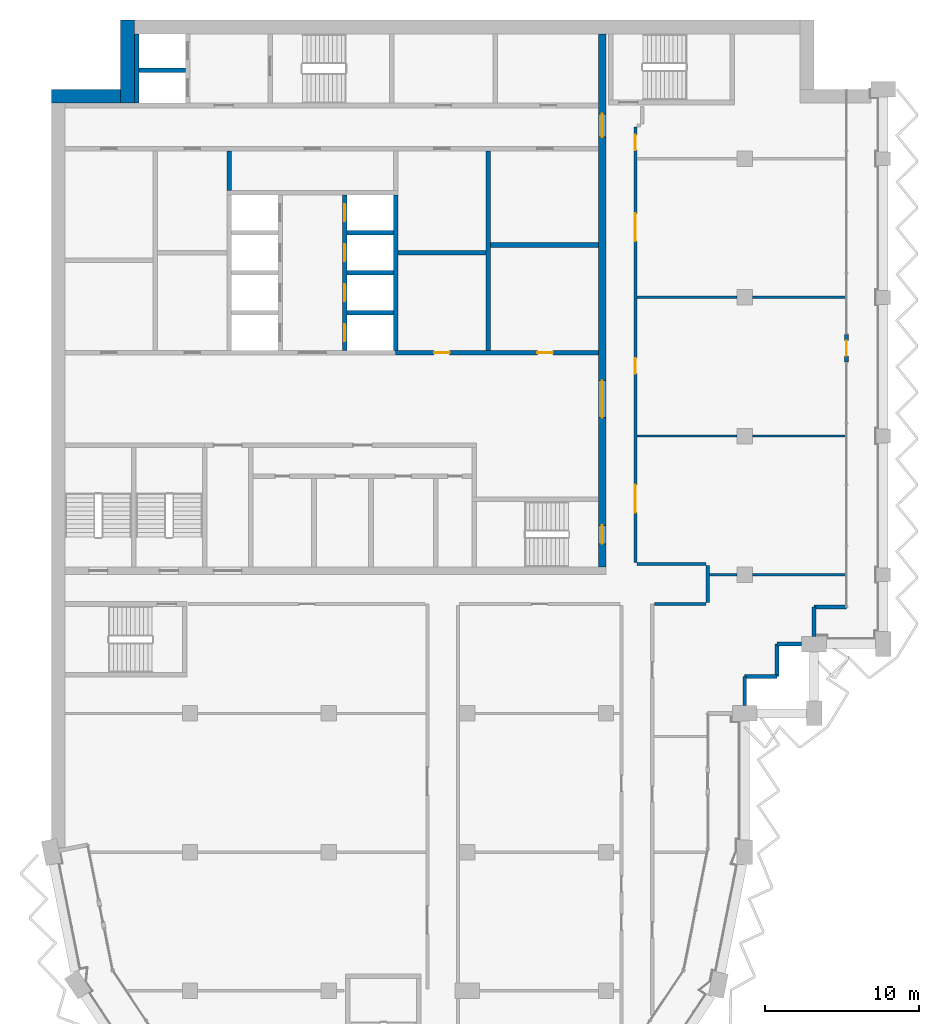
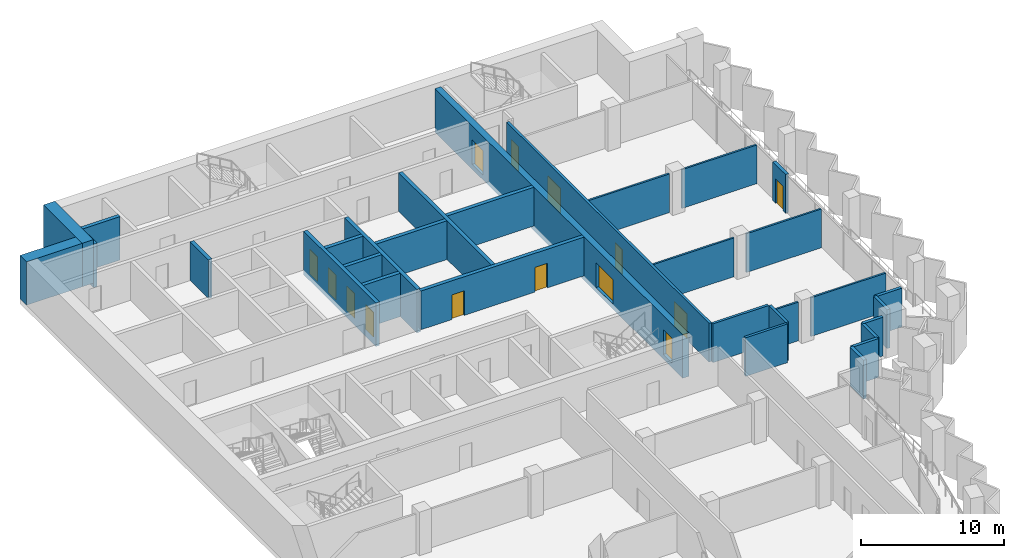
# One storey, part 9 of 16: 32 walls, 14 doors, 14 openings.
"""IFC4 building model written with IfcOpenShell, lengths in metres."""

from ifc_helpers import new_model, si_unit, direction, frame, frame_2d, origin, place, context, subcontext, project, spatial, rectangle, extrude, material, layer, layer_set, type_object, element, fill, save


model = new_model("IFC4")

# Units and contexts
model_context = context("Model", 3, precision=1e-05, world=origin(), true_north=direction((0.0, 1.0)))
body_context = subcontext(model_context, "Body", "Model", "MODEL_VIEW")
ifc_project = project(units=[si_unit("LENGTHUNIT", "METRE"), si_unit("AREAUNIT", "SQUARE_METRE"), si_unit("VOLUMEUNIT", "CUBIC_METRE"), si_unit("PLANEANGLEUNIT", "RADIAN"), si_unit("MASSUNIT", "GRAM", prefix="KILO")], contexts=[model_context])

# Site, building, storey
site_placement = place(None, origin())
site = spatial("IfcSite", under=ifc_project, at=site_placement, CompositionType="ELEMENT")
building_placement = place(site_placement, origin())
building = spatial("IfcBuilding", under=site, at=building_placement, Name="Hunhe Ridgeline Campus", CompositionType="ELEMENT")
storey_placement = place(building_placement, frame((0.0, 0.0, 235.5)))
storey = spatial("IfcBuildingStorey", under=building, at=storey_placement, Name="L60", CompositionType="ELEMENT", Elevation=235.5)

# Wall, openings, doors
ifc_material_1 = material(Name="Masonry concrete blockwork", Category="masonry")
ifc_layer_1 = layer(ifc_material_1, 0.300048828125)
ifc_layer_set_1 = layer_set([ifc_layer_1], Name="Core room partition 300 concrete block")
wall_type_1 = type_object("IfcWallType", Name="Core room partition 300 concrete block", PredefinedType="PARTITIONING", material=ifc_layer_set_1)
wall_1_placement = place(storey_placement, frame((22.35009765625, 77.39990234375, 0.0), z_axis=(0.0, 0.0, 1.0), x_axis=(1.0, 0.0, 0.0)))
wall_1 = element("IfcWall", 1, at=wall_1_placement, inside=storey, type_object=wall_type_1, Name="L60 core partition 11", PredefinedType="PARTITIONING", context=body_context, shape_type="SweptSolid", body=[
    extrude(rectangle(XDim=13.14990234375, YDim=0.300048828125, at=frame_2d((6.574951171875, 0.0))), origin(), (0.0, 0.0, 1.0), 3.300048828125),
])
opening_1_placement = place(wall_1_placement, frame((2.5, 0.0, 0.0)))
opening_1 = element("IfcOpeningElement", 2, at=opening_1_placement, cuts=wall_1, Name="Opening CD32", PredefinedType="OPENING", context=body_context, shape_type="SweptSolid", body=[
    extrude(rectangle(XDim=1.0, YDim=2.10009765625, at=frame_2d((0.5, 1.050048828125))), frame((0.0, 0.14990234375, 0.0), z_axis=(0.0, -1.0, 0.0), x_axis=(1.0, 0.0, 0.0)), (0.0, 0.0, 1.0), 0.300048828125),
])
opening_2_placement = place(wall_1_placement, frame((9.199951171875, 0.0, 0.0)))
opening_2 = element("IfcOpeningElement", 3, at=opening_2_placement, cuts=wall_1, Name="Opening CD42", PredefinedType="OPENING", context=body_context, shape_type="SweptSolid", body=[
    extrude(rectangle(XDim=1.0, YDim=2.10009765625, at=frame_2d((0.5, 1.050048828125))), frame((0.0, 0.14990234375, 0.0), z_axis=(0.0, -1.0, 0.0), x_axis=(1.0, 0.0, 0.0)), (0.0, 0.0, 1.0), 0.300048828125),
])
ifc_material_2 = material(Name="Solid core timber door leaf", Category="wood")
door_type_1 = type_object("IfcDoorType", Name="Timber door 1000x2100", OperationType="SINGLE_SWING_LEFT", PredefinedType="DOOR", material=ifc_material_2)
door_1_placement = place(opening_1_placement, origin())
door_1 = element("IfcDoor", 4, at=door_1_placement, inside=storey, type_object=door_type_1, Name="L60 door ES0", OperationType="SINGLE_SWING_LEFT", OverallHeight=2.10009765625, OverallWidth=1.0, PredefinedType="DOOR", context=body_context, shape_type="SweptSolid", body=[
    extrude(rectangle(XDim=1.0, YDim=2.10009765625, at=frame_2d((0.5, 1.050048828125))), frame((0.0, 0.02490234375, 0.0), z_axis=(0.0, -1.0, 0.0), x_axis=(1.0, 0.0, 0.0)), (0.0, 0.0, 1.0), 0.050048828125),
])
fill(opening_1, door_1)
door_2_placement = place(opening_2_placement, origin())
door_2 = element("IfcDoor", 5, at=door_2_placement, inside=storey, type_object=door_type_1, Name="L60 door ES2", OperationType="SINGLE_SWING_LEFT", OverallHeight=2.10009765625, OverallWidth=1.0, PredefinedType="DOOR", context=body_context, shape_type="SweptSolid", body=[
    extrude(rectangle(XDim=1.0, YDim=2.10009765625, at=frame_2d((0.5, 1.050048828125))), frame((0.0, 0.02490234375, 0.0), z_axis=(0.0, -1.0, 0.0), x_axis=(1.0, 0.0, 0.0)), (0.0, 0.0, 1.0), 0.050048828125),
])
fill(opening_2, door_2)

# Walls
wall_2_placement = place(storey_placement, frame((22.5, 83.89990234375, 0.0), z_axis=(0.0, 0.0, 1.0), x_axis=(1.0, 0.0, 0.0)))
element("IfcWall", 6, at=wall_2_placement, inside=storey, type_object=wall_type_1, Name="L60 core partition 18", PredefinedType="PARTITIONING", context=body_context, shape_type="SweptSolid", body=[
    extrude(rectangle(XDim=5.699951171875, YDim=0.300048828125, at=frame_2d((2.85009765625, 0.0))), origin(), (0.0, 0.0, 1.0), 3.300048828125),
])
wall_3_placement = place(storey_placement, frame((28.5, 84.39990234375, 0.0), z_axis=(0.0, 0.0, 1.0), x_axis=(1.0, 0.0, 0.0)))
element("IfcWall", 7, at=wall_3_placement, inside=storey, type_object=wall_type_1, Name="L60 core partition 19", PredefinedType="PARTITIONING", context=body_context, shape_type="SweptSolid", body=[
    extrude(rectangle(XDim=7.0, YDim=0.300048828125, at=frame_2d((3.5, 0.0))), origin(), (0.0, 0.0, 1.0), 3.300048828125),
])
wall_4_placement = place(storey_placement, frame((11.550048828125, 87.949951171875, 0.0), z_axis=(0.0, 0.0, 1.0), x_axis=(0.0, 1.0, 0.0)))
element("IfcWall", 8, at=wall_4_placement, inside=storey, type_object=wall_type_1, Name="L60 core partition 34", PredefinedType="PARTITIONING", context=body_context, shape_type="SweptSolid", body=[
    extrude(rectangle(XDim=2.550048828125, YDim=0.300048828125, at=frame_2d((1.27490234375, 0.0))), origin(), (0.0, 0.0, 1.0), 3.300048828125),
])
wall_5_placement = place(storey_placement, frame((28.35009765625, 77.550048828125, 0.0), z_axis=(0.0, 0.0, 1.0), x_axis=(0.0, 1.0, 0.0)))
element("IfcWall", 9, at=wall_5_placement, inside=storey, type_object=wall_type_1, Name="L60 core partition 49", PredefinedType="PARTITIONING", context=body_context, shape_type="SweptSolid", body=[
    extrude(rectangle(XDim=12.949951171875, YDim=0.300048828125, at=frame_2d((6.47509765625, 0.0))), origin(), (0.0, 0.0, 1.0), 3.300048828125),
])

# Wall, openings, doors
ifc_material_3 = material(Name="Concrete C50", Category="concrete")
ifc_layer_2 = layer(ifc_material_3, 0.5)
ifc_layer_set_2 = layer_set([ifc_layer_2], Name="Core wall 500 reinforced concrete C50")
wall_type_2 = type_object("IfcWallType", Name="Core wall 500 reinforced concrete C50", PredefinedType="SOLIDWALL", material=ifc_layer_set_2)
wall_6_placement = place(storey_placement, frame((35.75, 63.5, -0.39990234375), z_axis=(0.0, 0.0, 1.0), x_axis=(0.0, 1.0, 0.0)))
wall_6 = element("IfcWall", 10, at=wall_6_placement, inside=storey, type_object=wall_type_2, Name="L60 core wall 51", PredefinedType="SOLIDWALL", context=body_context, shape_type="SweptSolid", body=[
    extrude(rectangle(XDim=34.60009765625, YDim=0.5, at=frame_2d((17.300048828125, 0.0))), origin(), (0.0, 0.0, 1.0), 3.699951171875),
])
opening_3_placement = place(wall_6_placement, frame((9.699951171875, 0.0, 0.39990234375)))
opening_3 = element("IfcOpeningElement", 11, at=opening_3_placement, cuts=wall_6, Name="Opening CD4", PredefinedType="OPENING", context=body_context, shape_type="SweptSolid", body=[
    extrude(rectangle(XDim=2.39990234375, YDim=2.10009765625, at=frame_2d((1.199951171875, 1.050048828125))), frame((0.0, 0.25, 0.0), z_axis=(0.0, -1.0, 0.0), x_axis=(1.0, 0.0, 0.0)), (0.0, 0.0, 1.0), 0.5),
])
opening_4_placement = place(wall_6_placement, frame((27.89990234375, 0.0, 0.39990234375)))
opening_4 = element("IfcOpeningElement", 12, at=opening_4_placement, cuts=wall_6, Name="Opening CD5", PredefinedType="OPENING", context=body_context, shape_type="SweptSolid", body=[
    extrude(rectangle(XDim=1.5, YDim=2.10009765625, at=frame_2d((0.75, 1.050048828125))), frame((0.0, 0.25, 0.0), z_axis=(0.0, -1.0, 0.0), x_axis=(1.0, 0.0, 0.0)), (0.0, 0.0, 1.0), 0.5),
])
opening_5_placement = place(wall_6_placement, frame((1.5, 0.0, 0.39990234375)))
opening_5 = element("IfcOpeningElement", 13, at=opening_5_placement, cuts=wall_6, Name="Opening CD15", PredefinedType="OPENING", context=body_context, shape_type="SweptSolid", body=[
    extrude(rectangle(XDim=1.199951171875, YDim=2.10009765625, at=frame_2d((0.60009765625, 1.050048828125))), frame((0.0, 0.25, 0.0), z_axis=(0.0, -1.0, 0.0), x_axis=(1.0, 0.0, 0.0)), (0.0, 0.0, 1.0), 0.5),
])
ifc_material_4 = material(Name="Anodised aluminium and glass", Category="aluminium")
door_type_2 = type_object("IfcDoorType", Name="Glazed double door 2400x2100", OperationType="DOUBLE_DOOR_SINGLE_SWING", PredefinedType="DOOR", material=ifc_material_4)
door_3_placement = place(opening_3_placement, frame((2.39990234375, 0.0, 0.0), z_axis=(0.0, 0.0, 1.0), x_axis=(-1.0, 0.0, 0.0)))
door_3 = element("IfcDoor", 14, at=door_3_placement, inside=storey, type_object=door_type_2, Name="L60 door HALL-FLOOR", OperationType="DOUBLE_DOOR_SINGLE_SWING", OverallHeight=2.10009765625, OverallWidth=2.39990234375, PredefinedType="DOOR", context=body_context, shape_type="SweptSolid", body=[
    extrude(rectangle(XDim=2.39990234375, YDim=2.10009765625, at=frame_2d((1.199951171875, 1.050048828125))), frame((0.0, 0.02490234375, 0.0), z_axis=(0.0, -1.0, 0.0), x_axis=(1.0, 0.0, 0.0)), (0.0, 0.0, 1.0), 0.050048828125),
])
fill(opening_3, door_3)
ifc_material_5 = material(Name="Hollow metal fire door leaf")
door_type_3 = type_object("IfcDoorType", Name="Stair door 1200x2100 FD60", OperationType="SINGLE_SWING_LEFT", PredefinedType="DOOR", material=ifc_material_5)
door_4_placement = place(opening_5_placement, frame((1.199951171875, 0.0, 0.0), z_axis=(0.0, 0.0, 1.0), x_axis=(-1.0, 0.0, 0.0)))
door_4 = element("IfcDoor", 15, at=door_4_placement, inside=storey, type_object=door_type_3, Name="L60 door S2-FLOOR", OperationType="SINGLE_SWING_LEFT", OverallHeight=2.10009765625, OverallWidth=1.199951171875, PredefinedType="DOOR", context=body_context, shape_type="SweptSolid", body=[
    extrude(rectangle(XDim=1.199951171875, YDim=2.10009765625, at=frame_2d((0.60009765625, 1.050048828125))), frame((0.0, 0.02490234375, 0.0), z_axis=(0.0, -1.0, 0.0), x_axis=(1.0, 0.0, 0.0)), (0.0, 0.0, 1.0), 0.050048828125),
])
fill(opening_5, door_4)
door_type_4 = type_object("IfcDoorType", Name="Timber door 1500x2100", OperationType="SINGLE_SWING_LEFT", PredefinedType="DOOR", material=ifc_material_2)
door_5_placement = place(opening_4_placement, frame((1.5, 0.0, 0.0), z_axis=(0.0, 0.0, 1.0), x_axis=(-1.0, 0.0, 0.0)))
door_5 = element("IfcDoor", 16, at=door_5_placement, inside=storey, type_object=door_type_4, Name="L60 door C1-FLOOR", OperationType="SINGLE_SWING_LEFT", OverallHeight=2.10009765625, OverallWidth=1.5, PredefinedType="DOOR", context=body_context, shape_type="SweptSolid", body=[
    extrude(rectangle(XDim=1.5, YDim=2.10009765625, at=frame_2d((0.75, 1.050048828125))), frame((0.0, 0.02490234375, 0.0), z_axis=(0.0, -1.0, 0.0), x_axis=(1.0, 0.0, 0.0)), (0.0, 0.0, 1.0), 0.050048828125),
])
fill(opening_4, door_5)

# Walls
ifc_material_6 = material(Name="Concrete C30", Category="concrete")
ifc_layer_3 = layer(ifc_material_6, 0.25)
ifc_layer_set_3 = layer_set([ifc_layer_3], Name="Corner return wall 250 Concrete C30")
wall_type_3 = type_object("IfcWallType", Name="Corner return wall 250 Concrete C30", PredefinedType="SOLIDWALL", material=ifc_layer_set_3)
wall_7_placement = place(storey_placement, frame((44.9990234375, 54.5, 0.0), z_axis=(0.0, 0.0, 1.0), x_axis=(0.000128452151, 0.99999999175, 0.0)))
element("IfcWall", 17, at=wall_7_placement, inside=storey, type_object=wall_type_3, Name="Corner return wall 3", PredefinedType="SOLIDWALL", context=body_context, shape_type="SweptSolid", body=[
    extrude(rectangle(XDim=1.900634765625, YDim=0.25, at=frame_2d((0.9501953125, 0.0))), origin(), (0.0, 0.0, 1.0), 3.300048828125),
])
wall_8_placement = place(storey_placement, frame((44.999267578125, 56.400634765625, 0.0), z_axis=(0.0, 0.0, 1.0), x_axis=(0.999999993241, 0.00011626555, 0.0)))
element("IfcWall", 18, at=wall_8_placement, inside=storey, type_object=wall_type_3, Name="Corner return wall 4", PredefinedType="SOLIDWALL", context=body_context, shape_type="SweptSolid", body=[
    extrude(rectangle(XDim=2.099853515625, YDim=0.25, at=frame_2d((1.0498046875, 0.0))), origin(), (0.0, 0.0, 1.0), 3.300048828125),
])
wall_9_placement = place(storey_placement, frame((47.09912109375, 56.40087890625, 0.0), z_axis=(0.0, 0.0, 1.0), x_axis=(0.000232504063, 0.999999972971, 0.0)))
element("IfcWall", 19, at=wall_9_placement, inside=storey, type_object=wall_type_3, Name="Corner return wall 5", PredefinedType="SOLIDWALL", context=body_context, shape_type="SweptSolid", body=[
    extrude(rectangle(XDim=2.10009765625, YDim=0.25, at=frame_2d((1.050048828125, 0.0))), origin(), (0.0, 0.0, 1.0), 3.300048828125),
])
wall_10_placement = place(storey_placement, frame((47.099609375, 58.5009765625, 0.0), z_axis=(0.0, 0.0, 1.0), x_axis=(1.0, 0.0, 0.0)))
element("IfcWall", 20, at=wall_10_placement, inside=storey, type_object=wall_type_3, Name="Corner return wall 6", PredefinedType="SOLIDWALL", context=body_context, shape_type="SweptSolid", body=[
    extrude(rectangle(XDim=1.600341796875, YDim=0.25, at=frame_2d((0.80029296875, 0.0))), origin(), (0.0, 0.0, 1.0), 3.300048828125),
])
wall_11_placement = place(storey_placement, frame((49.4990234375, 59.0, 0.0), z_axis=(0.0, 0.0, 1.0), x_axis=(0.000256871299, 0.999999967009, 0.0)))
element("IfcWall", 21, at=wall_11_placement, inside=storey, type_object=wall_type_3, Name="Corner return wall 7", PredefinedType="SOLIDWALL", context=body_context, shape_type="SweptSolid", body=[
    extrude(rectangle(XDim=1.90087890625, YDim=0.25, at=frame_2d((0.950439453125, 0.0))), origin(), (0.0, 0.0, 1.0), 3.300048828125),
])
wall_12_placement = place(storey_placement, frame((49.49951171875, 60.90087890625, 0.0), z_axis=(0.0, 0.0, 1.0), x_axis=(1.0, 0.0, 0.0)))
element("IfcWall", 22, at=wall_12_placement, inside=storey, type_object=wall_type_3, Name="Corner return wall 8", PredefinedType="SOLIDWALL", context=body_context, shape_type="SweptSolid", body=[
    extrude(rectangle(XDim=2.099609375, YDim=0.25, at=frame_2d((1.0498046875, 0.0))), origin(), (0.0, 0.0, 1.0), 3.300048828125),
])
ifc_material_7 = material(Name="Gypsum board partition")
ifc_layer_4 = layer(ifc_material_7, 0.199951171875)
ifc_layer_set_4 = layer_set([ifc_layer_4], Name="Corridor partition 200 gypsum board on steel studs")
wall_type_4 = type_object("IfcWallType", Name="Corridor partition 200 gypsum board on steel studs", PredefinedType="PARTITIONING", material=ifc_layer_set_4)
wall_13_placement = place(storey_placement, frame((42.5, 61.10009765625, 0.0), z_axis=(0.0, 0.0, 1.0), x_axis=(-1.0, 0.0, 0.0)))
element("IfcWall", 23, at=wall_13_placement, inside=storey, type_object=wall_type_4, Name="F-L60-wall-021", PredefinedType="PARTITIONING", context=body_context, shape_type="SweptSolid", body=[
    extrude(rectangle(XDim=3.36865234375, YDim=0.199951171875, at=frame_2d((1.684326171875, 0.0))), origin(), (0.0, 0.0, 1.0), 3.300048828125),
])
wall_14_placement = place(storey_placement, frame((38.0, 63.699951171875, 0.0), z_axis=(0.0, 0.0, 1.0), x_axis=(1.0, 0.0, 0.0)))
element("IfcWall", 24, at=wall_14_placement, inside=storey, type_object=wall_type_4, Name="F-L60-wall-024", PredefinedType="PARTITIONING", context=body_context, shape_type="SweptSolid", body=[
    extrude(rectangle(XDim=4.5, YDim=0.199951171875, at=frame_2d((2.25, 0.0))), origin(), (0.0, 0.0, 1.0), 3.300048828125),
])

# Wall, openings, doors
wall_15_placement = place(storey_placement, frame((37.89990234375, 92.050048828125, 0.0), z_axis=(0.0, 0.0, 1.0), x_axis=(0.0, -1.0, 0.0)))
wall_15 = element("IfcWall", 25, at=wall_15_placement, inside=storey, type_object=wall_type_4, Name="F-L60-wall-038", PredefinedType="PARTITIONING", context=body_context, shape_type="SweptSolid", body=[
    extrude(rectangle(XDim=28.25, YDim=0.199951171875, at=frame_2d((14.125, 0.0))), origin(), (0.0, 0.0, 1.0), 3.300048828125),
])
opening_6_placement = place(wall_15_placement, frame((23.22509765625, 0.0, 0.0)))
opening_6 = element("IfcOpeningElement", 26, at=opening_6_placement, cuts=wall_15, Name="Opening RD2-013", PredefinedType="OPENING", context=body_context, shape_type="SweptSolid", body=[
    extrude(rectangle(XDim=1.800048828125, YDim=2.10009765625, at=frame_2d((0.89990234375, 1.050048828125))), frame((0.0, 0.10009765625, 0.0), z_axis=(0.0, -1.0, 0.0), x_axis=(1.0, 0.0, 0.0)), (0.0, 0.0, 1.0), 0.199951171875),
])
opening_7_placement = place(wall_15_placement, frame((15.0, 0.0, 0.0)))
opening_7 = element("IfcOpeningElement", 27, at=opening_7_placement, cuts=wall_15, Name="Opening RD1-014", PredefinedType="OPENING", context=body_context, shape_type="SweptSolid", body=[
    extrude(rectangle(XDim=1.0, YDim=2.10009765625, at=frame_2d((0.5, 1.050048828125))), frame((0.0, 0.10009765625, 0.0), z_axis=(0.0, -1.0, 0.0), x_axis=(1.0, 0.0, 0.0)), (0.0, 0.0, 1.0), 0.199951171875),
])
opening_8_placement = place(wall_15_placement, frame((5.60009765625, 0.0, 0.0)))
opening_8 = element("IfcOpeningElement", 28, at=opening_8_placement, cuts=wall_15, Name="Opening RD2-015", PredefinedType="OPENING", context=body_context, shape_type="SweptSolid", body=[
    extrude(rectangle(XDim=1.800048828125, YDim=2.10009765625, at=frame_2d((0.89990234375, 1.050048828125))), frame((0.0, 0.10009765625, 0.0), z_axis=(0.0, -1.0, 0.0), x_axis=(1.0, 0.0, 0.0)), (0.0, 0.0, 1.0), 0.199951171875),
])
opening_9_placement = place(wall_15_placement, frame((0.5, 0.0, 0.0)))
opening_9 = element("IfcOpeningElement", 29, at=opening_9_placement, cuts=wall_15, Name="Opening RD1-016", PredefinedType="OPENING", context=body_context, shape_type="SweptSolid", body=[
    extrude(rectangle(XDim=1.0, YDim=2.10009765625, at=frame_2d((0.5, 1.050048828125))), frame((0.0, 0.10009765625, 0.0), z_axis=(0.0, -1.0, 0.0), x_axis=(1.0, 0.0, 0.0)), (0.0, 0.0, 1.0), 0.199951171875),
])
ifc_material_8 = material(Name="Timber door leaf", Category="wood")
door_type_5 = type_object("IfcDoorType", Name="Double fire door 1800x2100 timber FD60", OperationType="DOUBLE_DOOR_SINGLE_SWING", PredefinedType="DOOR", material=ifc_material_8)
door_6_placement = place(opening_6_placement, origin())
door_6 = element("IfcDoor", 30, at=door_6_placement, inside=storey, type_object=door_type_5, Name="F-L60-door-013", OperationType="DOUBLE_DOOR_SINGLE_SWING", OverallHeight=2.10009765625, OverallWidth=1.800048828125, PredefinedType="DOOR", context=body_context, shape_type="SweptSolid", body=[
    extrude(rectangle(XDim=1.800048828125, YDim=2.10009765625, at=frame_2d((0.89990234375, 1.050048828125))), frame((0.0, 0.02490234375, 0.0), z_axis=(0.0, -1.0, 0.0), x_axis=(1.0, 0.0, 0.0)), (0.0, 0.0, 1.0), 0.050048828125),
])
fill(opening_6, door_6)
door_7_placement = place(opening_8_placement, origin())
door_7 = element("IfcDoor", 31, at=door_7_placement, inside=storey, type_object=door_type_5, Name="F-L60-door-015", OperationType="DOUBLE_DOOR_SINGLE_SWING", OverallHeight=2.10009765625, OverallWidth=1.800048828125, PredefinedType="DOOR", context=body_context, shape_type="SweptSolid", body=[
    extrude(rectangle(XDim=1.800048828125, YDim=2.10009765625, at=frame_2d((0.89990234375, 1.050048828125))), frame((0.0, 0.02490234375, 0.0), z_axis=(0.0, -1.0, 0.0), x_axis=(1.0, 0.0, 0.0)), (0.0, 0.0, 1.0), 0.050048828125),
])
fill(opening_8, door_7)
door_type_6 = type_object("IfcDoorType", Name="Single fire door 1000x2100 timber FD60", OperationType="NOTDEFINED", PredefinedType="DOOR", material=ifc_material_8)
door_8_placement = place(opening_7_placement, origin())
door_8 = element("IfcDoor", 32, at=door_8_placement, inside=storey, type_object=door_type_6, Name="F-L60-door-014", OperationType="SINGLE_SWING_LEFT", OverallHeight=2.10009765625, OverallWidth=1.0, PredefinedType="DOOR", context=body_context, shape_type="SweptSolid", body=[
    extrude(rectangle(XDim=1.0, YDim=2.10009765625, at=frame_2d((0.5, 1.050048828125))), frame((0.0, 0.02490234375, 0.0), z_axis=(0.0, -1.0, 0.0), x_axis=(1.0, 0.0, 0.0)), (0.0, 0.0, 1.0), 0.050048828125),
])
fill(opening_7, door_8)
door_9_placement = place(opening_9_placement, origin())
door_9 = element("IfcDoor", 33, at=door_9_placement, inside=storey, type_object=door_type_6, Name="F-L60-door-016", OperationType="SINGLE_SWING_LEFT", OverallHeight=2.10009765625, OverallWidth=1.0, PredefinedType="DOOR", context=body_context, shape_type="SweptSolid", body=[
    extrude(rectangle(XDim=1.0, YDim=2.10009765625, at=frame_2d((0.5, 1.050048828125))), frame((0.0, 0.02490234375, 0.0), z_axis=(0.0, -1.0, 0.0), x_axis=(1.0, 0.0, 0.0)), (0.0, 0.0, 1.0), 0.050048828125),
])
fill(opening_9, door_9)

# Wall
wall_16_placement = place(storey_placement, frame((42.60009765625, 63.60009765625, 0.0), z_axis=(0.0, 0.0, 1.0), x_axis=(0.0, -1.0, 0.0)))
element("IfcWall", 34, at=wall_16_placement, inside=storey, type_object=wall_type_4, Name="F-L60-wall-041", PredefinedType="PARTITIONING", context=body_context, shape_type="SweptSolid", body=[
    extrude(rectangle(XDim=2.400146484375, YDim=0.199951171875, at=frame_2d((1.2001953125, 0.0))), origin(), (0.0, 0.0, 1.0), 3.300048828125),
])

# Wall, opening, door
ifc_layer_5 = layer(ifc_material_6, 0.25)
ifc_layer_set_5 = layer_set([ifc_layer_5], Name="Loggia door pier wall 250 Concrete C30")
wall_type_5 = type_object("IfcWallType", Name="Loggia door pier wall 250 Concrete C30", PredefinedType="SOLIDWALL", material=ifc_layer_set_5)
wall_17_placement = place(storey_placement, frame((51.59912109375, 76.800537109375, 0.0), z_axis=(0.0, 0.0, 1.0), x_axis=(0.0, 1.0, 0.0)))
wall_17 = element("IfcWall", 35, at=wall_17_placement, inside=storey, type_object=wall_type_5, Name="Loggia door pier 4", PredefinedType="SOLIDWALL", context=body_context, shape_type="SweptSolid", body=[
    extrude(rectangle(XDim=1.800048828125, YDim=0.25, at=frame_2d((0.89990234375, 0.0))), origin(), (0.0, 0.0, 1.0), 3.300048828125),
])
opening_10_placement = place(wall_17_placement, frame((0.39990234375, 0.0, 0.0)))
opening_10 = element("IfcOpeningElement", 36, at=opening_10_placement, cuts=wall_17, Name="Opening BD506", PredefinedType="OPENING", context=body_context, shape_type="SweptSolid", body=[
    extrude(rectangle(XDim=1.0, YDim=2.10009765625, at=frame_2d((0.5, 1.050048828125))), frame((0.0, 0.125, 0.0), z_axis=(0.0, -1.0, 0.0), x_axis=(1.0, 0.0, 0.0)), (0.0, 0.0, 1.0), 0.25),
])
ifc_material_9 = material(Name="Aluminium 6063", Category="aluminium")
door_type_7 = type_object("IfcDoorType", Name="Loggia glazed door 1000x2100", OperationType="NOTDEFINED", PredefinedType="DOOR", material=ifc_material_9)
door_10_placement = place(opening_10_placement, frame((1.0, 0.0, 0.0), z_axis=(0.0, 0.0, 1.0), x_axis=(-1.0, 0.0, 0.0)))
door_10 = element("IfcDoor", 37, at=door_10_placement, inside=storey, type_object=door_type_7, Name="Loggia door BD506", OperationType="SINGLE_SWING_LEFT", OverallHeight=2.10009765625, OverallWidth=1.0, PredefinedType="DOOR", context=body_context, shape_type="SweptSolid", body=[
    extrude(rectangle(XDim=1.0, YDim=2.10009765625, at=frame_2d((0.5, 1.050048828125))), frame((0.0, 0.02490234375, 0.0), z_axis=(0.0, -1.0, 0.0), x_axis=(1.0, 0.0, 0.0)), (0.0, 0.0, 1.0), 0.050048828125),
])
fill(opening_10, door_10)

# Walls
ifc_layer_6 = layer(ifc_material_7, 0.14990234375)
ifc_layer_set_6 = layer_set([ifc_layer_6], Name="Room partition 150 gypsum board on steel studs")
wall_type_6 = type_object("IfcWallType", Name="Room partition 150 gypsum board on steel studs", PredefinedType="PARTITIONING", material=ifc_layer_set_6)
wall_18_placement = place(storey_placement, frame((42.699951171875, 63.0, 0.0), z_axis=(0.0, 0.0, 1.0), x_axis=(1.0, 0.0, 0.0)))
element("IfcWall", 38, at=wall_18_placement, inside=storey, type_object=wall_type_6, Name="F-L60-wall-022", PredefinedType="PARTITIONING", context=body_context, shape_type="SweptSolid", body=[
    extrude(rectangle(XDim=1.800048828125, YDim=0.14990234375, at=frame_2d((0.89990234375, 0.0))), origin(), (0.0, 0.0, 1.0), 3.300048828125),
])
wall_19_placement = place(storey_placement, frame((45.5, 63.0, 0.0), z_axis=(0.0, 0.0, 1.0), x_axis=(1.0, 0.0, 0.0)))
element("IfcWall", 39, at=wall_19_placement, inside=storey, type_object=wall_type_6, Name="F-L60-wall-023", PredefinedType="PARTITIONING", context=body_context, shape_type="SweptSolid", body=[
    extrude(rectangle(XDim=6.044921875, YDim=0.14990234375, at=frame_2d((3.0224609375, 0.0))), origin(), (0.0, 0.0, 1.0), 3.300048828125),
])
wall_20_placement = place(storey_placement, frame((38.0, 72.0, 0.0), z_axis=(0.0, 0.0, 1.0), x_axis=(1.0, 0.0, 0.0)))
element("IfcWall", 40, at=wall_20_placement, inside=storey, type_object=wall_type_6, Name="F-L60-wall-025", PredefinedType="PARTITIONING", context=body_context, shape_type="SweptSolid", body=[
    extrude(rectangle(XDim=6.5, YDim=0.14990234375, at=frame_2d((3.25, 0.0))), origin(), (0.0, 0.0, 1.0), 3.300048828125),
])
wall_21_placement = place(storey_placement, frame((45.5, 72.0, 0.0), z_axis=(0.0, 0.0, 1.0), x_axis=(1.0, 0.0, 0.0)))
element("IfcWall", 41, at=wall_21_placement, inside=storey, type_object=wall_type_6, Name="F-L60-wall-026", PredefinedType="PARTITIONING", context=body_context, shape_type="SweptSolid", body=[
    extrude(rectangle(XDim=6.044921875, YDim=0.14990234375, at=frame_2d((3.0224609375, 0.0))), origin(), (0.0, 0.0, 1.0), 3.300048828125),
])
wall_22_placement = place(storey_placement, frame((38.0, 81.0, 0.0), z_axis=(0.0, 0.0, 1.0), x_axis=(1.0, 0.0, 0.0)))
element("IfcWall", 42, at=wall_22_placement, inside=storey, type_object=wall_type_6, Name="F-L60-wall-027", PredefinedType="PARTITIONING", context=body_context, shape_type="SweptSolid", body=[
    extrude(rectangle(XDim=6.5, YDim=0.14990234375, at=frame_2d((3.25, 0.0))), origin(), (0.0, 0.0, 1.0), 3.300048828125),
])
wall_23_placement = place(storey_placement, frame((45.5, 81.0, 0.0), z_axis=(0.0, 0.0, 1.0), x_axis=(1.0, 0.0, 0.0)))
element("IfcWall", 43, at=wall_23_placement, inside=storey, type_object=wall_type_6, Name="F-L60-wall-028", PredefinedType="PARTITIONING", context=body_context, shape_type="SweptSolid", body=[
    extrude(rectangle(XDim=6.044921875, YDim=0.14990234375, at=frame_2d((3.0224609375, 0.0))), origin(), (0.0, 0.0, 1.0), 3.300048828125),
])
ifc_layer_7 = layer(ifc_material_3, 0.300048828125)
ifc_layer_set_7 = layer_set([ifc_layer_7], Name="Shaft wall 300 reinforced concrete C50")
wall_type_7 = type_object("IfcWallType", Name="Shaft wall 300 reinforced concrete C50", PredefinedType="SOLIDWALL", material=ifc_layer_set_7)
for number, where, z_axis, x_axis, name in (
    (44, (19.199951171875, 80.0, -0.39990234375), (0.0, 0.0, 1.0), (1.0, 0.0, 0.0), "L60 core wall 13"),
    (45, (19.199951171875, 82.60009765625, -0.39990234375), (0.0, 0.0, 1.0), (1.0, 0.0, 0.0), "L60 core wall 15"),
    (46, (19.199951171875, 85.199951171875, -0.39990234375), (0.0, 0.0, 1.0), (1.0, 0.0, 0.0), "L60 core wall 21"),
    (47, (5.699951171875, 95.75, -0.39990234375), (0.0, 0.0, 1.0), (1.0, 0.0, 0.0), "L60 core wall 26"),
):
    element("IfcWall", number, at=place(storey_placement, frame(where, z_axis=z_axis, x_axis=x_axis)), inside=storey, type_object=wall_type_7, Name=name, PredefinedType="SOLIDWALL", context=body_context, shape_type="SweptSolid", body=[
        extrude(rectangle(XDim=3.0, YDim=0.300048828125, at=frame_2d((1.5, 0.0))), origin(), (0.0, 0.0, 1.0), 3.699951171875),
    ])
wall_24_placement = place(storey_placement, frame((5.550048828125, 93.60009765625, -0.39990234375), z_axis=(0.0, 0.0, 1.0), x_axis=(0.0, 1.0, 0.0)))
element("IfcWall", 48, at=wall_24_placement, inside=storey, type_object=wall_type_7, Name="L60 core wall 28", PredefinedType="SOLIDWALL", context=body_context, shape_type="SweptSolid", body=[
    extrude(rectangle(XDim=4.5, YDim=0.300048828125, at=frame_2d((2.25, 0.0))), origin(), (0.0, 0.0, 1.0), 3.699951171875),
])

# Wall, openings, doors
wall_25_placement = place(storey_placement, frame((19.050048828125, 77.550048828125, -0.39990234375), z_axis=(0.0, 0.0, 1.0), x_axis=(0.0, 1.0, 0.0)))
wall_25 = element("IfcWall", 49, at=wall_25_placement, inside=storey, type_object=wall_type_7, Name="L60 core wall 39", PredefinedType="SOLIDWALL", context=body_context, shape_type="SweptSolid", body=[
    extrude(rectangle(XDim=10.099853515625, YDim=0.300048828125, at=frame_2d((5.0498046875, 0.0))), origin(), (0.0, 0.0, 1.0), 3.699951171875),
])
opening_11_placement = place(wall_25_placement, frame((0.60009765625, 0.0, 0.39990234375)))
opening_11 = element("IfcOpeningElement", 50, at=opening_11_placement, cuts=wall_25, Name="Opening LD-HR5", PredefinedType="OPENING", context=body_context, shape_type="SweptSolid", body=[
    extrude(rectangle(XDim=1.10009765625, YDim=2.10009765625, at=frame_2d((0.550048828125, 1.050048828125))), frame((0.0, 0.14990234375, 0.0), z_axis=(0.0, -1.0, 0.0), x_axis=(1.0, 0.0, 0.0)), (0.0, 0.0, 1.0), 0.300048828125),
])
opening_12_placement = place(wall_25_placement, frame((3.199951171875, 0.0, 0.39990234375)))
opening_12 = element("IfcOpeningElement", 51, at=opening_12_placement, cuts=wall_25, Name="Opening LD-HR6", PredefinedType="OPENING", context=body_context, shape_type="SweptSolid", body=[
    extrude(rectangle(XDim=1.10009765625, YDim=2.10009765625, at=frame_2d((0.550048828125, 1.050048828125))), frame((0.0, 0.14990234375, 0.0), z_axis=(0.0, -1.0, 0.0), x_axis=(1.0, 0.0, 0.0)), (0.0, 0.0, 1.0), 0.300048828125),
])
opening_13_placement = place(wall_25_placement, frame((5.800048828125, 0.0, 0.39990234375)))
opening_13 = element("IfcOpeningElement", 52, at=opening_13_placement, cuts=wall_25, Name="Opening LD-HR7", PredefinedType="OPENING", context=body_context, shape_type="SweptSolid", body=[
    extrude(rectangle(XDim=1.10009765625, YDim=2.10009765625, at=frame_2d((0.550048828125, 1.050048828125))), frame((0.0, 0.14990234375, 0.0), z_axis=(0.0, -1.0, 0.0), x_axis=(1.0, 0.0, 0.0)), (0.0, 0.0, 1.0), 0.300048828125),
])
opening_14_placement = place(wall_25_placement, frame((8.39990234375, 0.0, 0.39990234375)))
opening_14 = element("IfcOpeningElement", 53, at=opening_14_placement, cuts=wall_25, Name="Opening LD-HR8", PredefinedType="OPENING", context=body_context, shape_type="SweptSolid", body=[
    extrude(rectangle(XDim=1.10009765625, YDim=2.10009765625, at=frame_2d((0.550048828125, 1.050048828125))), frame((0.0, 0.14990234375, 0.0), z_axis=(0.0, -1.0, 0.0), x_axis=(1.0, 0.0, 0.0)), (0.0, 0.0, 1.0), 0.300048828125),
])
ifc_material_10 = material(Name="Stainless steel sliding leaves", Category="steel")
door_type_8 = type_object("IfcDoorType", Name="Landing door 1100x2100 FD120", OperationType="SLIDING_TO_LEFT", PredefinedType="DOOR", material=ifc_material_10)
door_11_placement = place(opening_11_placement, origin())
door_11 = element("IfcDoor", 54, at=door_11_placement, inside=storey, type_object=door_type_8, Name="L60 landing door HR5", OperationType="SLIDING_TO_RIGHT", OverallHeight=2.10009765625, OverallWidth=1.10009765625, PredefinedType="DOOR", context=body_context, shape_type="SweptSolid", body=[
    extrude(rectangle(XDim=1.10009765625, YDim=2.10009765625, at=frame_2d((0.550048828125, 1.050048828125))), frame((0.0, 0.02490234375, 0.0), z_axis=(0.0, -1.0, 0.0), x_axis=(1.0, 0.0, 0.0)), (0.0, 0.0, 1.0), 0.050048828125),
])
fill(opening_11, door_11)
door_12_placement = place(opening_12_placement, origin())
door_12 = element("IfcDoor", 55, at=door_12_placement, inside=storey, type_object=door_type_8, Name="L60 landing door HR6", OperationType="SLIDING_TO_LEFT", OverallHeight=2.10009765625, OverallWidth=1.10009765625, PredefinedType="DOOR", context=body_context, shape_type="SweptSolid", body=[
    extrude(rectangle(XDim=1.10009765625, YDim=2.10009765625, at=frame_2d((0.550048828125, 1.050048828125))), frame((0.0, 0.02490234375, 0.0), z_axis=(0.0, -1.0, 0.0), x_axis=(1.0, 0.0, 0.0)), (0.0, 0.0, 1.0), 0.050048828125),
])
fill(opening_12, door_12)
door_13_placement = place(opening_13_placement, origin())
door_13 = element("IfcDoor", 56, at=door_13_placement, inside=storey, type_object=door_type_8, Name="L60 landing door HR7", OperationType="SLIDING_TO_RIGHT", OverallHeight=2.10009765625, OverallWidth=1.10009765625, PredefinedType="DOOR", context=body_context, shape_type="SweptSolid", body=[
    extrude(rectangle(XDim=1.10009765625, YDim=2.10009765625, at=frame_2d((0.550048828125, 1.050048828125))), frame((0.0, 0.02490234375, 0.0), z_axis=(0.0, -1.0, 0.0), x_axis=(1.0, 0.0, 0.0)), (0.0, 0.0, 1.0), 0.050048828125),
])
fill(opening_13, door_13)
door_14_placement = place(opening_14_placement, origin())
door_14 = element("IfcDoor", 57, at=door_14_placement, inside=storey, type_object=door_type_8, Name="L60 landing door HR8", OperationType="SLIDING_TO_LEFT", OverallHeight=2.10009765625, OverallWidth=1.10009765625, PredefinedType="DOOR", context=body_context, shape_type="SweptSolid", body=[
    extrude(rectangle(XDim=1.10009765625, YDim=2.10009765625, at=frame_2d((0.550048828125, 1.050048828125))), frame((0.0, 0.02490234375, 0.0), z_axis=(0.0, -1.0, 0.0), x_axis=(1.0, 0.0, 0.0)), (0.0, 0.0, 1.0), 0.050048828125),
])
fill(opening_14, door_14)

# Walls
wall_26_placement = place(storey_placement, frame((22.35009765625, 77.550048828125, -0.39990234375), z_axis=(0.0, 0.0, 1.0), x_axis=(0.0, 1.0, 0.0)))
element("IfcWall", 58, at=wall_26_placement, inside=storey, type_object=wall_type_7, Name="L60 core wall 43", PredefinedType="SOLIDWALL", context=body_context, shape_type="SweptSolid", body=[
    extrude(rectangle(XDim=10.099853515625, YDim=0.300048828125, at=frame_2d((5.0498046875, 0.0))), origin(), (0.0, 0.0, 1.0), 3.699951171875),
])
ifc_material_11 = material(Name="Concrete C60", Category="concrete")
ifc_layer_8 = layer(ifc_material_11, 0.89990234375)
ifc_layer_set_8 = layer_set([ifc_layer_8], Name="Spine wall 900 Concrete C60")
wall_type_8 = type_object("IfcWallType", Name="Spine wall 900 Concrete C60", PredefinedType="SHEAR", material=ifc_layer_set_8)
for number, where, z_axis, x_axis, name in (
    (59, (4.949951171875, 99.0, 0.0), (0.0, 0.0, 1.0), (0.0, -1.0, 0.0), "Spine wall SW3-5 L60"),
    (60, (5.400146484375, 94.050048828125, 0.0), (0.0, 0.0, 1.0), (-1.0, 0.0, 0.0), "Spine wall SW3-6 L60"),
):
    element("IfcWall", number, at=place(storey_placement, frame(where, z_axis=z_axis, x_axis=x_axis)), inside=storey, type_object=wall_type_8, Name=name, PredefinedType="SHEAR", context=body_context, shape_type="SweptSolid", body=[
        extrude(rectangle(XDim=5.400146484375, YDim=0.89990234375, at=frame_2d((2.7001953125, 0.0))), origin(), (0.0, 0.0, 1.0), 3.699951171875),
    ])

save(model, "model.ifc")
